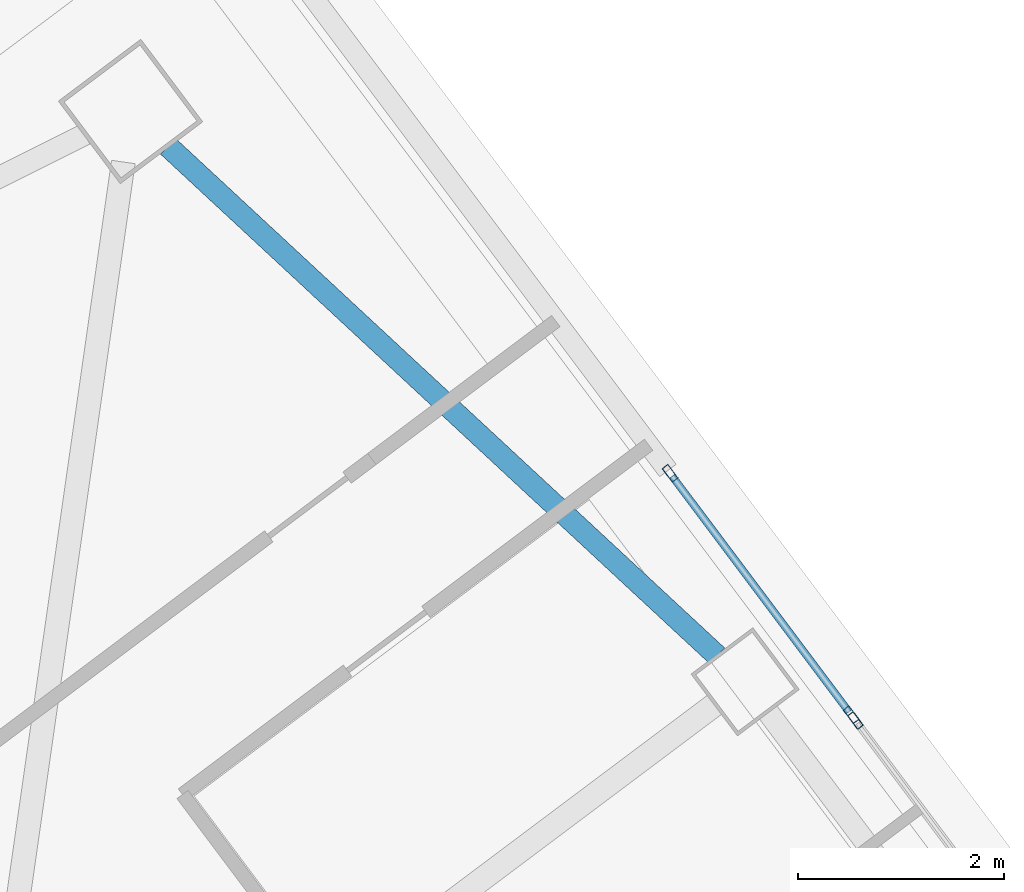
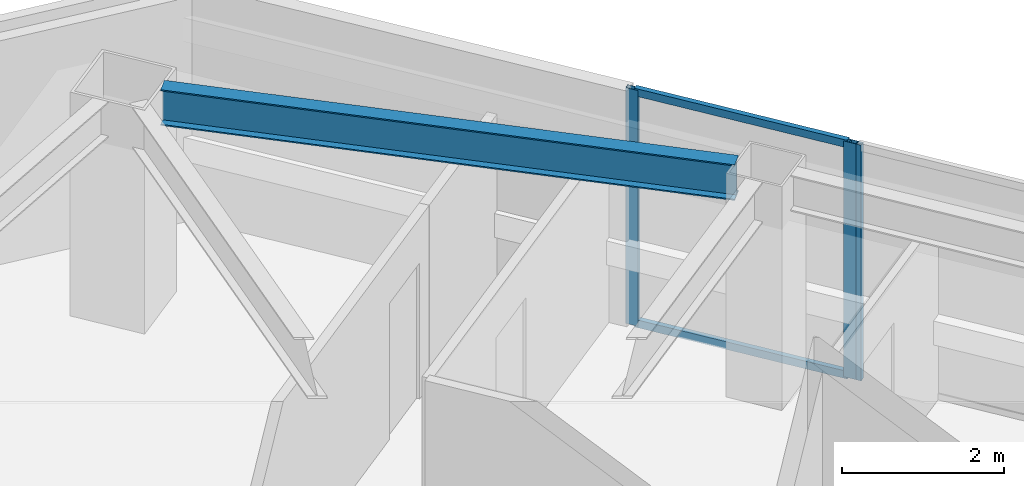
# One storey, part 27 of 39: 5 members, 1 beam, 2 elements without a shape of their own.
"""IFC4 building model written with IfcOpenShell, lengths in metres."""

from ifc_helpers import new_model, si_unit, direction, frame, origin, origin_2d, place, context, subcontext, project, spatial, hollow_rectangle, i_section, extrude, material, material_profile, profile_set, type_object, element, aggregate, save


model = new_model("IFC4")

# Units and contexts
model_context = context("Model", 3, precision=1e-05, world=origin(), true_north=direction((0.0, 1.0)))
body_context = subcontext(model_context, "Body", "Model", "MODEL_VIEW")
ifc_project = project(units=[si_unit("LENGTHUNIT", "METRE"), si_unit("AREAUNIT", "SQUARE_METRE"), si_unit("VOLUMEUNIT", "CUBIC_METRE"), si_unit("PLANEANGLEUNIT", "RADIAN"), si_unit("MASSUNIT", "GRAM", prefix="KILO")], contexts=[model_context])

# Site, building, storey
site_placement = place(None, origin())
site = spatial("IfcSite", under=ifc_project, at=site_placement, CompositionType="ELEMENT")
building_placement = place(site_placement, origin())
building = spatial("IfcBuilding", under=site, at=building_placement, Name="Tashvorn Skyway Center", CompositionType="ELEMENT")
storey_placement = place(building_placement, frame((0.0, 0.0, 225.5)))
storey = spatial("IfcBuildingStorey", under=building, at=storey_placement, Name="L61", CompositionType="ELEMENT", Elevation=225.5)

# Beam
ifc_material_1 = material(Name="Steel ASTM A992 Grade 50", Category="steel")
ifc_material_profile_1 = material_profile(ifc_material_1, i_section(OverallWidth=0.2109375, OverallDepth=0.5390625, WebThickness=0.01171875, FlangeThickness=0.018798828125, at=origin_2d()), Name="W21X73")
ifc_profile_set_1 = profile_set([ifc_material_profile_1], Name="Steel ASTM A992 Grade 50")
beam_type = type_object("IfcBeamType", Name="BM-SPANDREL-W21X73", PredefinedType="SPANDREL", material=ifc_profile_set_1)
beam_placement = place(storey_placement, frame((122.36865234375, 45.481689453125, 3.1005859375), z_axis=(-0.733042389989, 0.680182956622, 0.0), x_axis=(-0.680182956622, -0.733042389989, 0.0)))
element("IfcBeam", 1, at=beam_placement, inside=storey, type_object=beam_type, Name="Tower 2 L61 Spandrel Beam 06", PredefinedType="SPANDREL", context=body_context, shape_type="SweptSolid", body=[
    extrude(i_section(OverallWidth=0.2109375, OverallDepth=0.5390625, WebThickness=0.01171875, FlangeThickness=0.018798828125, at=origin_2d()), origin(), (0.0, 0.0, 1.0), 7.26513671875),
])

# Curtain wall, members
ifc_material_2 = material(Name="Thermally broken bronze-anodized aluminium 6063-T6", Category="aluminium")
curtain_wall_type = type_object("IfcCurtainWallType", Name="CW-CW-Z5", PredefinedType="NOTDEFINED", material=ifc_material_2)
curtain_wall_1_placement = place(storey_placement, origin())
curtain_wall_1 = element("IfcCurtainWall", 2, at=curtain_wall_1_placement, inside=storey, type_object=curtain_wall_type, Name="Tower 2 L61 East Unitised Curtain Wall Glazing Group 1", PredefinedType="NOTDEFINED")
ifc_material_profile_2 = material_profile(ifc_material_2, hollow_rectangle(XDim=0.070068359375, YDim=0.1650390625, WallThickness=0.00390625, at=origin_2d()), Name="ALU-MULL-70x165")
ifc_profile_set_2 = profile_set([ifc_material_profile_2], Name="Thermally broken bronze-anodized aluminium 6063-T6")
member_type_1 = type_object("IfcMemberType", Name="CWM-CW-Z5", PredefinedType="MULLION", material=ifc_profile_set_2)
member_1_placement = place(storey_placement, frame((121.91162109375, 47.251220703125, 0.0), z_axis=(0.0, 0.0, 1.0), x_axis=(0.799999999998, 0.600000000002, 0.0)))
member_1 = element("IfcMember", 3, at=member_1_placement, type_object=member_type_1, Name="CW-Z5 mullion 1", PredefinedType="MULLION", context=body_context, shape_type="SweptSolid", body=[
    extrude(hollow_rectangle(XDim=0.070068359375, YDim=0.1650390625, WallThickness=0.00390625, at=origin_2d()), origin(), (0.0, 0.0, 1.0), 3.550048828125),
])
member_2_placement = place(storey_placement, frame((123.6669921875, 44.91064453125, 0.0), z_axis=(0.0, 0.0, 1.0), x_axis=(0.799999999998, 0.600000000002, 0.0)))
member_2 = element("IfcMember", 4, at=member_2_placement, type_object=member_type_1, Name="CW-Z5 mullion 2", PredefinedType="MULLION", context=body_context, shape_type="SweptSolid", body=[
    extrude(hollow_rectangle(XDim=0.070068359375, YDim=0.1650390625, WallThickness=0.00390625, at=origin_2d()), origin(), (0.0, 0.0, 1.0), 3.550048828125),
])

# Curtain wall, member
curtain_wall_2_placement = place(storey_placement, origin())
curtain_wall_2 = element("IfcCurtainWall", 5, at=curtain_wall_2_placement, inside=storey, type_object=curtain_wall_type, Name="Tower 2 L61 East Unitised Curtain Wall Glazing Group 2", PredefinedType="NOTDEFINED")
member_3_placement = place(storey_placement, frame((123.708984375, 44.854736328125, 0.0), z_axis=(0.0, 0.0, 1.0), x_axis=(0.800002670596, 0.599996439189, 0.0)))
member_3 = element("IfcMember", 6, at=member_3_placement, type_object=member_type_1, Name="CW-Z5 mullion 1", PredefinedType="MULLION", context=body_context, shape_type="SweptSolid", body=[
    extrude(hollow_rectangle(XDim=0.070068359375, YDim=0.1650390625, WallThickness=0.00390625, at=origin_2d()), origin(), (0.0, 0.0, 1.0), 3.550048828125),
])
aggregate(curtain_wall_2, [member_3])

# Member
ifc_material_profile_3 = material_profile(ifc_material_2, hollow_rectangle(XDim=0.070068359375, YDim=0.114990234375, WallThickness=0.00390625, at=origin_2d()), Name="ALU-TRAN-70x115")
ifc_profile_set_3 = profile_set([ifc_material_profile_3], Name="Thermally broken bronze-anodized aluminium 6063-T6")
member_type_2 = type_object("IfcMemberType", Name="CWT-CW-Z5", PredefinedType="USERDEFINED", material=ifc_profile_set_3)
member_4_placement = place(storey_placement, frame((121.9326171875, 47.22314453125, 0.034912109375), z_axis=(0.600013679335, -0.799989740316, 0.0), x_axis=(0.799989740316, 0.600013679335, 0.0)))
member_4 = element("IfcMember", 7, at=member_4_placement, type_object=member_type_2, Name="CW-Z5 transom 1.1", ObjectType="TRANSOM", PredefinedType="USERDEFINED", context=body_context, shape_type="SweptSolid", body=[
    extrude(hollow_rectangle(XDim=0.070068359375, YDim=0.114990234375, WallThickness=0.00390625, at=origin_2d()), origin(), (0.0, 0.0, 1.0), 2.85546875),
])

member_5_placement = place(storey_placement, frame((121.9326171875, 47.22314453125, 3.514892578125), z_axis=(0.600013679335, -0.799989740316, 0.0), x_axis=(0.799989740316, 0.600013679335, 0.0)))
member_5 = element("IfcMember", 8, at=member_5_placement, type_object=member_type_2, Name="CW-Z5 transom 1.2", ObjectType="TRANSOM", PredefinedType="USERDEFINED", context=body_context, shape_type="SweptSolid", body=[
    extrude(hollow_rectangle(XDim=0.070068359375, YDim=0.114990234375, WallThickness=0.00390625, at=origin_2d()), origin(), (0.0, 0.0, 1.0), 2.85546875),
])

aggregate(curtain_wall_1, [member_1, member_2, member_4, member_5])

save(model, "model.ifc")
